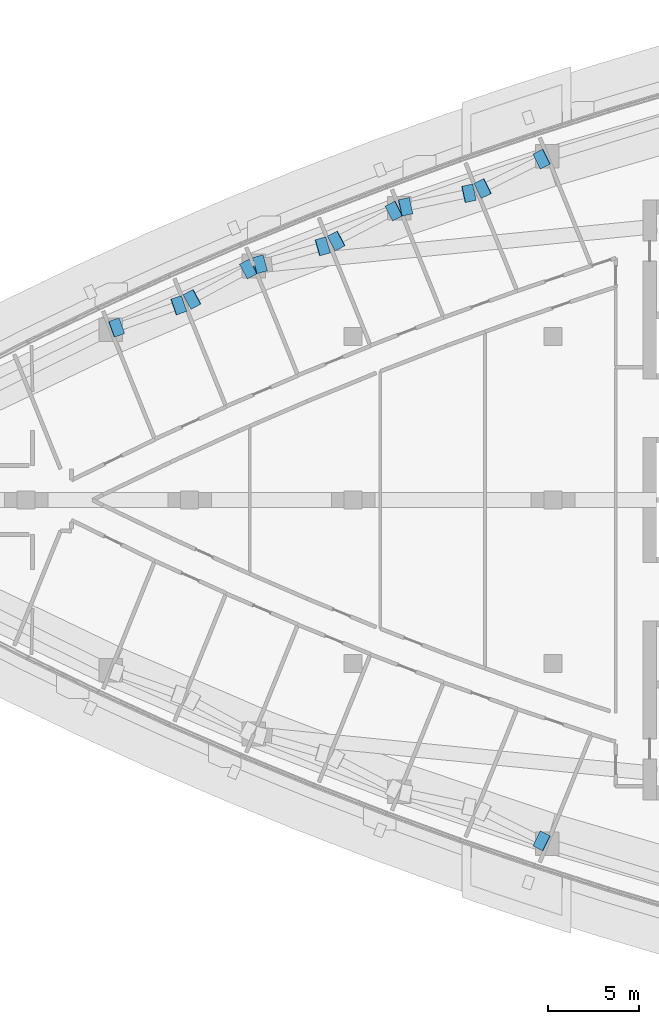
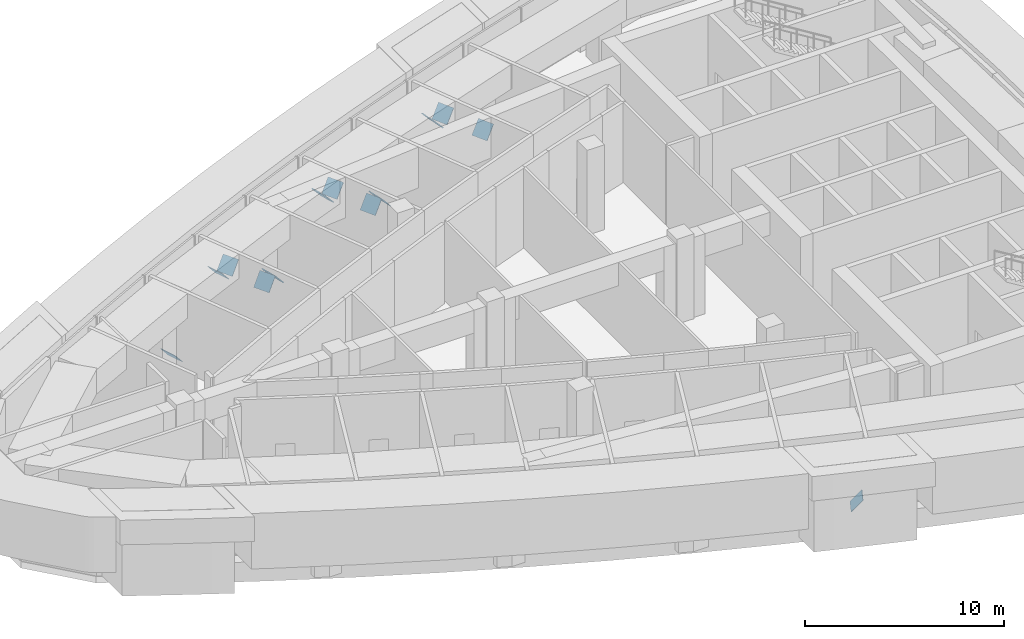
# One storey, part 13 of 17: 13 discrete accessories.
"""IFC4 building model written with IfcOpenShell, lengths in metres."""

from ifc_helpers import new_model, si_unit, direction, frame, origin, origin_2d, place, context, subcontext, project, spatial, rectangle, extrude, material, material_profile, profile_set, type_object, element, save


model = new_model("IFC4")

# Units and contexts
model_context = context("Model", 3, precision=1e-05, world=origin(), true_north=direction((0.0, 1.0)))
body_context = subcontext(model_context, "Body", "Model", "MODEL_VIEW")
ifc_project = project(units=[si_unit("LENGTHUNIT", "METRE"), si_unit("AREAUNIT", "SQUARE_METRE"), si_unit("VOLUMEUNIT", "CUBIC_METRE"), si_unit("PLANEANGLEUNIT", "RADIAN"), si_unit("MASSUNIT", "GRAM", prefix="KILO")], contexts=[model_context])

# Site, building, storey
site_placement = place(None, origin())
site = spatial("IfcSite", under=ifc_project, at=site_placement, CompositionType="ELEMENT")
building_placement = place(site_placement, origin())
building = spatial("IfcBuilding", under=site, at=building_placement, Name="Ostrand Prow Hotel Tower", CompositionType="ELEMENT")
storey_placement = place(building_placement, frame((0.0, 0.0, 211.0)))
storey = spatial("IfcBuildingStorey", under=building, at=storey_placement, Name="L53", CompositionType="ELEMENT", Elevation=211.0)

# Discrete accessories
ifc_material = material(Name="Steel S355", Category="steel")
ifc_material_profile = material_profile(ifc_material, rectangle(XDim=0.9169921875, YDim=0.9169921875, at=origin_2d()), Name="PL 917x917x35")
ifc_profile_set = profile_set([ifc_material_profile], Name="Steel S355")
discrete_accessory_type = type_object("IfcDiscreteAccessoryType", Name="Gusset plate 917x917x35 S355", PredefinedType="USERDEFINED", material=ifc_profile_set)
discrete_accessory_1_placement = place(storey_placement, frame((44.388427734375, -18.768798828125, 0.28125), z_axis=(-0.679769254286, 0.336380661915, 0.65173753246), x_axis=(-0.443513828814, -0.896267529062, 0.0)))
element("IfcDiscreteAccessory", 1, at=discrete_accessory_1_placement, inside=storey, type_object=discrete_accessory_type, Name="Gusset plate BR-06 foot", ObjectType="GUSSET PLATE", PredefinedType="USERDEFINED", context=body_context, shape_type="SweptSolid", body=[
    extrude(rectangle(XDim=0.9169921875, YDim=0.9169921875, at=origin_2d()), origin(), (0.0, 0.0, 1.0), 0.034912109375),
])
discrete_accessory_2_placement = place(storey_placement, frame((20.966552734375, 9.484130859375, 0.281005859375), z_axis=(0.717165171736, 0.257622440332, 0.647537485159), x_axis=(-0.338072285558, 0.941120146282, 0.0)))
element("IfcDiscreteAccessory", 2, at=discrete_accessory_2_placement, inside=storey, type_object=discrete_accessory_type, Name="Gusset plate BR-07 foot", ObjectType="GUSSET PLATE", PredefinedType="USERDEFINED", context=body_context, shape_type="SweptSolid", body=[
    extrude(rectangle(XDim=0.9169921875, YDim=0.9169921875, at=origin_2d()), origin(), (0.0, 0.0, 1.0), 0.03515625),
])
for number, where, z_axis, x_axis, name in (
    (3, (24.389404296875, 10.7109375, 3.388671875), (0.718437592076, 0.251104401114, 0.648686369545), (-0.329942150632, 0.944001153197, 0.0), "Gusset plate BR-07 head"),
    (4, (28.248779296875, 12.723876953125, 0.285888671875), (-0.664124596605, -0.356530046599, 0.657133811378), (0.472993330314, -0.881066007447, 0.0), "Gusset plate BR-08 foot"),
):
    element("IfcDiscreteAccessory", number, at=place(storey_placement, frame(where, z_axis=z_axis, x_axis=x_axis)), inside=storey, type_object=discrete_accessory_type, Name=name, ObjectType="GUSSET PLATE", PredefinedType="USERDEFINED", context=body_context, shape_type="SweptSolid", body=[
        extrude(rectangle(XDim=0.9169921875, YDim=0.9169921875, at=origin_2d()), origin(), (0.0, 0.0, 1.0), 0.034912109375),
    ])
discrete_accessory_3_placement = place(storey_placement, frame((25.148681640625, 11.048583984375, 3.388427734375), z_axis=(-0.661078544057, -0.354894797336, 0.661078544057), x_axis=(0.472993330314, -0.881066007447, 0.0)))
element("IfcDiscreteAccessory", 5, at=discrete_accessory_3_placement, inside=storey, type_object=discrete_accessory_type, Name="Gusset plate BR-08 head", ObjectType="GUSSET PLATE", PredefinedType="USERDEFINED", context=body_context, shape_type="SweptSolid", body=[
    extrude(rectangle(XDim=0.9169921875, YDim=0.9169921875, at=origin_2d()), origin(), (0.0, 0.0, 1.0), 0.03515625),
])
discrete_accessory_4_placement = place(storey_placement, frame((28.84912109375, 12.968017578125, 0.28271484375), z_axis=(0.729829054055, 0.203510024689, 0.652635596415), x_axis=(-0.268599128776, 0.963252048023, 0.0)))
element("IfcDiscreteAccessory", 6, at=discrete_accessory_4_placement, inside=storey, type_object=discrete_accessory_type, Name="Gusset plate BR-09 foot", ObjectType="GUSSET PLATE", PredefinedType="USERDEFINED", context=body_context, shape_type="SweptSolid", body=[
    extrude(rectangle(XDim=0.9169921875, YDim=0.9169921875, at=origin_2d()), origin(), (0.0, 0.0, 1.0), 0.03466796875),
])
for number, where, z_axis, x_axis, name in (
    (7, (32.3095703125, 13.9541015625, 3.388671875), (0.728771083347, 0.210222427888, 0.651689526454), (-0.277160651302, 0.960823591181, 0.0), "Gusset plate BR-09 head"),
    (8, (36.25732421875, 15.91015625, 0.283447265625), (-0.671263022133, -0.342623834214, 0.657278375839), (0.454620573351, -0.890685204933, 0.0), "Gusset plate BR-10 foot"),
):
    element("IfcDiscreteAccessory", number, at=place(storey_placement, frame(where, z_axis=z_axis, x_axis=x_axis)), inside=storey, type_object=discrete_accessory_type, Name=name, ObjectType="GUSSET PLATE", PredefinedType="USERDEFINED", context=body_context, shape_type="SweptSolid", body=[
        extrude(rectangle(XDim=0.9169921875, YDim=0.9169921875, at=origin_2d()), origin(), (0.0, 0.0, 1.0), 0.034912109375),
    ])
for number, where, z_axis, x_axis, name in (
    (9, (33.081787109375, 14.260986328125, 3.388427734375), (-0.666586305685, -0.347180367544, 0.659642698334), (0.461934418837, -0.886914084167, 0.0), "Gusset plate BR-10 head"),
    (10, (36.8662109375, 16.12890625, 0.283935546875), (0.738519070146, 0.1602447039, 0.654913137677), (-0.212046871948, 0.977259496806, 0.0), "Gusset plate BR-11 foot"),
    (11, (40.354736328125, 16.873046875, 3.388427734375), (0.735154501076, 0.159514655894, 0.65886488304), (-0.212046871948, 0.977259496806, 0.0), "Gusset plate BR-11 head"),
):
    element("IfcDiscreteAccessory", number, at=place(storey_placement, frame(where, z_axis=z_axis, x_axis=x_axis)), inside=storey, type_object=discrete_accessory_type, Name=name, ObjectType="GUSSET PLATE", PredefinedType="USERDEFINED", context=body_context, shape_type="SweptSolid", body=[
        extrude(rectangle(XDim=0.9169921875, YDim=0.9169921875, at=origin_2d()), origin(), (0.0, 0.0, 1.0), 0.03515625),
    ])
for number, where, z_axis, x_axis, name in (
    (12, (44.388427734375, 18.768798828125, 0.28125), (-0.679769254286, -0.336380661915, 0.65173753246), (0.443513828814, -0.896267529062, 0.0), "Gusset plate BR-12 foot"),
    (13, (41.138916015625, 17.148193359375, 3.388671875), (-0.683512100945, -0.334781437198, 0.648639034571), (0.43986744881, -0.898062707987, 0.0), "Gusset plate BR-12 head"),
):
    element("IfcDiscreteAccessory", number, at=place(storey_placement, frame(where, z_axis=z_axis, x_axis=x_axis)), inside=storey, type_object=discrete_accessory_type, Name=name, ObjectType="GUSSET PLATE", PredefinedType="USERDEFINED", context=body_context, shape_type="SweptSolid", body=[
        extrude(rectangle(XDim=0.9169921875, YDim=0.9169921875, at=origin_2d()), origin(), (0.0, 0.0, 1.0), 0.034912109375),
    ])

save(model, "model.ifc")
